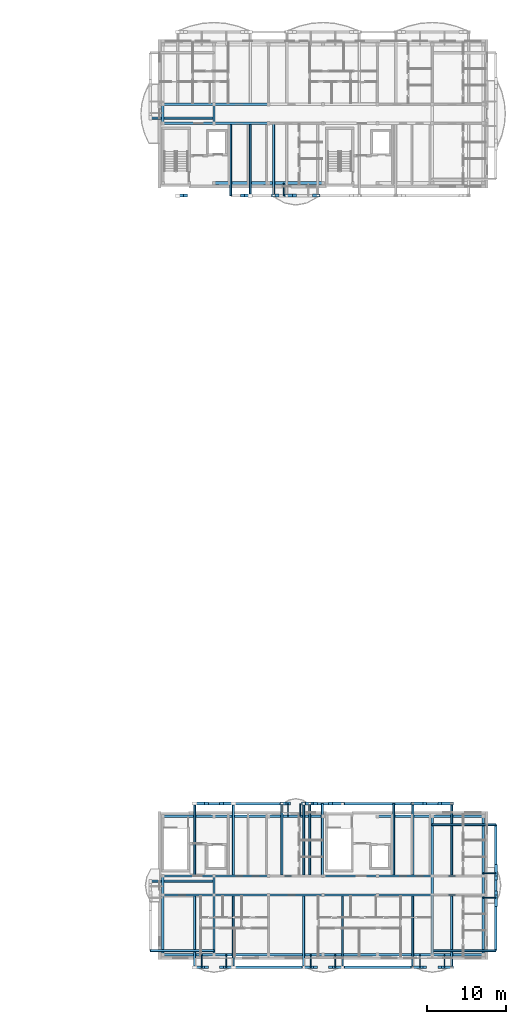
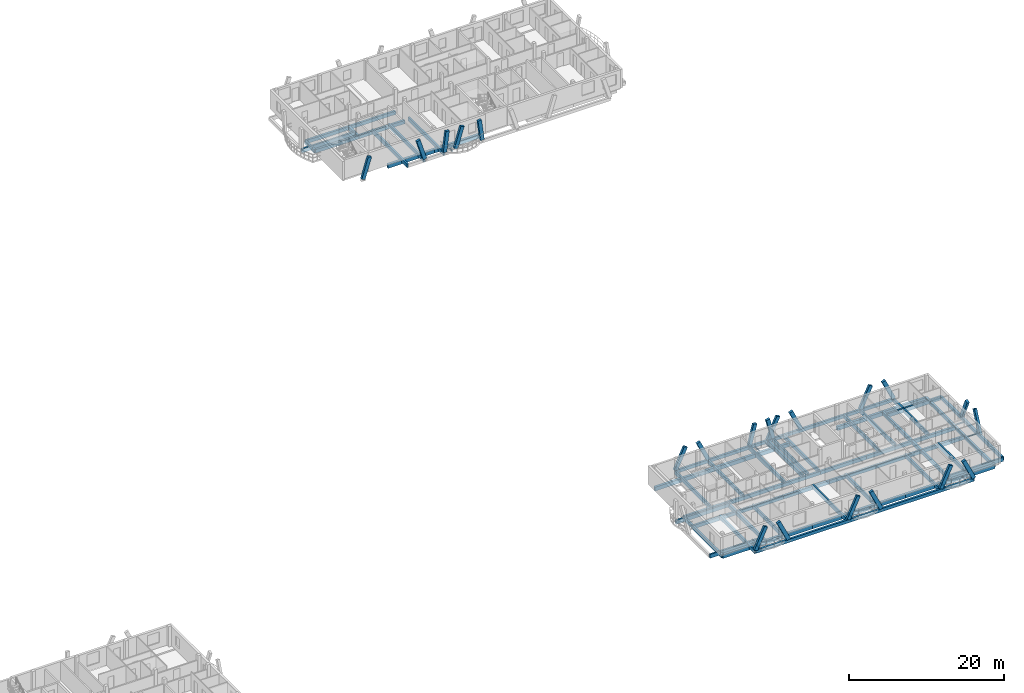
# One storey, part 6 of 41: 78 beams, 21 members.
"""IFC4 building model written with IfcOpenShell, lengths in metres."""

from ifc_helpers import new_model, si_unit, direction, frame, origin, origin_2d, place, context, subcontext, project, spatial, rectangle, i_section, extrude, material, material_profile, profile_set, type_object, element, save


model = new_model("IFC4")

# Units and contexts
model_context = context("Model", 3, precision=1e-05, world=origin(), true_north=direction((0.0, 1.0)))
body_context = subcontext(model_context, "Body", "Model", "MODEL_VIEW")
ifc_project = project(units=[si_unit("LENGTHUNIT", "METRE"), si_unit("AREAUNIT", "SQUARE_METRE"), si_unit("VOLUMEUNIT", "CUBIC_METRE"), si_unit("PLANEANGLEUNIT", "RADIAN"), si_unit("MASSUNIT", "GRAM", prefix="KILO")], contexts=[model_context])

# Site, building, storey
site_placement = place(None, origin())
site = spatial("IfcSite", under=ifc_project, at=site_placement, CompositionType="ELEMENT")
building_placement = place(site_placement, origin())
building = spatial("IfcBuilding", under=site, at=building_placement, Name="Zavelmont Quarter", CompositionType="ELEMENT")
storey_placement = place(building_placement, frame((0.0, 0.0, 27.199951171875)))
storey = spatial("IfcBuildingStorey", under=building, at=storey_placement, Name="L08", CompositionType="ELEMENT", Elevation=27.199951171875)

# Beams
ifc_material_1 = material(Name="Concrete C35/45", Category="concrete")
ifc_material_profile_1 = material_profile(ifc_material_1, rectangle(XDim=0.35009765625, YDim=0.60009765625, at=origin_2d()), Name="RC350X600")
ifc_profile_set_1 = profile_set([ifc_material_profile_1], Name="Concrete C35/45")
beam_type_1 = type_object("IfcBeamType", Name="BM01", PredefinedType="SPANDREL", material=ifc_profile_set_1)
beam_1_placement = place(storey_placement, frame((133.5, 98.0400390625, -0.550048828125), z_axis=(1.0, 0.0, 0.0), x_axis=(0.0, 1.0, 0.0)))
element("IfcBeam", 1, at=beam_1_placement, inside=storey, type_object=beam_type_1, Name="L08 beam BM01 20/P to 21/P", PredefinedType="SPANDREL", context=body_context, shape_type="SweptSolid", body=[
    extrude(rectangle(XDim=0.35009765625, YDim=0.60009765625, at=origin_2d()), origin(), (0.0, 0.0, 1.0), 6.89990234375),
])
beam_2_placement = place(storey_placement, frame((140.39990234375, 98.0400390625, -0.550048828125), z_axis=(1.0, 0.0, 0.0), x_axis=(0.0, 1.0, 0.0)))
element("IfcBeam", 2, at=beam_2_placement, inside=storey, type_object=beam_type_1, Name="L08 beam BM01 21/P to 22/P", PredefinedType="SPANDREL", context=body_context, shape_type="SweptSolid", body=[
    extrude(rectangle(XDim=0.35009765625, YDim=0.60009765625, at=origin_2d()), origin(), (0.0, 0.0, 1.0), 6.900146484375),
])
beam_3_placement = place(storey_placement, frame((127.0400390625, 0.43994140625, -0.550048828125), z_axis=(1.0, 0.0, 0.0), x_axis=(0.0, 1.0, 0.0)))
element("IfcBeam", 3, at=beam_3_placement, inside=storey, type_object=beam_type_1, Name="L08 beam BM01 19/A to 20/A", PredefinedType="SPANDREL", context=body_context, shape_type="SweptSolid", body=[
    extrude(rectangle(XDim=0.35009765625, YDim=0.60009765625, at=origin_2d()), origin(), (0.0, 0.0, 1.0), 6.4599609375),
])
beam_4_placement = place(storey_placement, frame((133.5, 0.43994140625, -0.550048828125), z_axis=(1.0, 0.0, 0.0), x_axis=(0.0, 1.0, 0.0)))
element("IfcBeam", 4, at=beam_4_placement, inside=storey, type_object=beam_type_1, Name="L08 beam BM01 20/A to 21/A", PredefinedType="SPANDREL", context=body_context, shape_type="SweptSolid", body=[
    extrude(rectangle(XDim=0.35009765625, YDim=0.60009765625, at=origin_2d()), origin(), (0.0, 0.0, 1.0), 6.89990234375),
])
beam_5_placement = place(storey_placement, frame((140.39990234375, 0.43994140625, -0.550048828125), z_axis=(1.0, 0.0, 0.0), x_axis=(0.0, 1.0, 0.0)))
element("IfcBeam", 5, at=beam_5_placement, inside=storey, type_object=beam_type_1, Name="L08 beam BM01 21/A to 22/A", PredefinedType="SPANDREL", context=body_context, shape_type="SweptSolid", body=[
    extrude(rectangle(XDim=0.35009765625, YDim=0.60009765625, at=origin_2d()), origin(), (0.0, 0.0, 1.0), 6.900146484375),
])
beam_6_placement = place(storey_placement, frame((147.300048828125, 0.43994140625, -0.550048828125), z_axis=(1.0, 0.0, 0.0), x_axis=(0.0, 1.0, 0.0)))
element("IfcBeam", 6, at=beam_6_placement, inside=storey, type_object=beam_type_1, Name="L08 beam BM01 22/A to 23/A", PredefinedType="SPANDREL", context=body_context, shape_type="SweptSolid", body=[
    extrude(rectangle(XDim=0.35009765625, YDim=0.60009765625, at=origin_2d()), origin(), (0.0, 0.0, 1.0), 6.89990234375),
])
beam_7_placement = place(storey_placement, frame((154.199951171875, 0.43994140625, -0.550048828125), z_axis=(1.0, 0.0, 0.0), x_axis=(0.0, 1.0, 0.0)))
element("IfcBeam", 7, at=beam_7_placement, inside=storey, type_object=beam_type_1, Name="L08 beam BM01 23/A to 24/A", PredefinedType="SPANDREL", context=body_context, shape_type="SweptSolid", body=[
    extrude(rectangle(XDim=0.35009765625, YDim=0.60009765625, at=origin_2d()), origin(), (0.0, 0.0, 1.0), 6.900146484375),
])
for number, where, z_axis, x_axis, name in (
    (8, (161.10009765625, 0.43994140625, -0.550048828125), (1.0, 0.0, 0.0), (0.0, 1.0, 0.0), "L08 beam BM01 24/A to 25/A"),
    (9, (127.0400390625, 17.9599609375, -0.550048828125), (1.0, 0.0, 0.0), (0.0, 1.0, 0.0), "L08 beam BM01 19/D to 20/D"),
):
    element("IfcBeam", number, at=place(storey_placement, frame(where, z_axis=z_axis, x_axis=x_axis)), inside=storey, type_object=beam_type_1, Name=name, PredefinedType="SPANDREL", context=body_context, shape_type="SweptSolid", body=[
        extrude(rectangle(XDim=0.35009765625, YDim=0.60009765625, at=origin_2d()), origin(), (0.0, 0.0, 1.0), 6.4599609375),
    ])
beam_8_placement = place(storey_placement, frame((133.5, 17.9599609375, -0.550048828125), z_axis=(1.0, 0.0, 0.0), x_axis=(0.0, 1.0, 0.0)))
element("IfcBeam", 10, at=beam_8_placement, inside=storey, type_object=beam_type_1, Name="L08 beam BM01 20/D to 21/D", PredefinedType="SPANDREL", context=body_context, shape_type="SweptSolid", body=[
    extrude(rectangle(XDim=0.35009765625, YDim=0.60009765625, at=origin_2d()), origin(), (0.0, 0.0, 1.0), 6.89990234375),
])
for number, where, z_axis, x_axis, name in (
    (11, (140.39990234375, 17.9599609375, -0.550048828125), (1.0, 0.0, 0.0), (0.0, 1.0, 0.0), "L08 beam BM01 21/D to 22/D"),
    (12, (154.199951171875, 17.9599609375, -0.550048828125), (1.0, 0.0, 0.0), (0.0, 1.0, 0.0), "L08 beam BM01 23/D to 24/D"),
):
    element("IfcBeam", number, at=place(storey_placement, frame(where, z_axis=z_axis, x_axis=x_axis)), inside=storey, type_object=beam_type_1, Name=name, PredefinedType="SPANDREL", context=body_context, shape_type="SweptSolid", body=[
        extrude(rectangle(XDim=0.35009765625, YDim=0.60009765625, at=origin_2d()), origin(), (0.0, 0.0, 1.0), 6.900146484375),
    ])
beam_9_placement = place(storey_placement, frame((161.10009765625, 17.9599609375, -0.550048828125), z_axis=(1.0, 0.0, 0.0), x_axis=(0.0, 1.0, 0.0)))
element("IfcBeam", 13, at=beam_9_placement, inside=storey, type_object=beam_type_1, Name="L08 beam BM01 24/D to 25/D", PredefinedType="SPANDREL", context=body_context, shape_type="SweptSolid", body=[
    extrude(rectangle(XDim=0.35009765625, YDim=0.60009765625, at=origin_2d()), origin(), (0.0, 0.0, 1.0), 6.4599609375),
])
ifc_material_profile_2 = material_profile(ifc_material_1, rectangle(XDim=0.300048828125, YDim=0.550048828125, at=origin_2d()), Name="RC300X550")
ifc_profile_set_2 = profile_set([ifc_material_profile_2], Name="Concrete C35/45")
beam_type_2 = type_object("IfcBeamType", Name="BM02", PredefinedType="SPANDREL", material=ifc_profile_set_2)
beam_10_placement = place(storey_placement, frame((127.0400390625, 105.60009765625, -0.52490234375), z_axis=(1.0, 0.0, 0.0), x_axis=(0.0, 1.0, 0.0)))
element("IfcBeam", 14, at=beam_10_placement, inside=storey, type_object=beam_type_2, Name="L08 beam BM02 19/Q to 20/Q", PredefinedType="SPANDREL", context=body_context, shape_type="SweptSolid", body=[
    extrude(rectangle(XDim=0.300048828125, YDim=0.550048828125, at=origin_2d()), origin(), (0.0, 0.0, 1.0), 6.4599609375),
])
beam_11_placement = place(storey_placement, frame((133.5, 105.60009765625, -0.52490234375), z_axis=(1.0, 0.0, 0.0), x_axis=(0.0, 1.0, 0.0)))
element("IfcBeam", 15, at=beam_11_placement, inside=storey, type_object=beam_type_2, Name="L08 beam BM02 20/Q to 21/Q", PredefinedType="SPANDREL", context=body_context, shape_type="SweptSolid", body=[
    extrude(rectangle(XDim=0.300048828125, YDim=0.550048828125, at=origin_2d()), origin(), (0.0, 0.0, 1.0), 6.89990234375),
])
beam_12_placement = place(storey_placement, frame((127.0400390625, 108.0, -0.52490234375), z_axis=(1.0, 0.0, 0.0), x_axis=(0.0, 1.0, 0.0)))
element("IfcBeam", 16, at=beam_12_placement, inside=storey, type_object=beam_type_2, Name="L08 beam BM02 19/R to 20/R", PredefinedType="SPANDREL", context=body_context, shape_type="SweptSolid", body=[
    extrude(rectangle(XDim=0.300048828125, YDim=0.550048828125, at=origin_2d()), origin(), (0.0, 0.0, 1.0), 6.4599609375),
])
beam_13_placement = place(storey_placement, frame((133.5, 108.0, -0.52490234375), z_axis=(1.0, 0.0, 0.0), x_axis=(0.0, 1.0, 0.0)))
element("IfcBeam", 17, at=beam_13_placement, inside=storey, type_object=beam_type_2, Name="L08 beam BM02 20/R to 21/R", PredefinedType="SPANDREL", context=body_context, shape_type="SweptSolid", body=[
    extrude(rectangle(XDim=0.300048828125, YDim=0.550048828125, at=origin_2d()), origin(), (0.0, 0.0, 1.0), 6.89990234375),
])
for number, where, z_axis, x_axis, name in (
    (18, (127.0400390625, 105.60009765625, -0.52490234375), (0.0, 1.0, 0.0), (-1.0, 0.0, 0.0), "L08 beam BM02 19/Q to 19/R"),
    (19, (133.5, 105.60009765625, -0.52490234375), (0.0, 1.0, 0.0), (-1.0, 0.0, 0.0), "L08 beam BM02 20/Q to 20/R"),
):
    element("IfcBeam", number, at=place(storey_placement, frame(where, z_axis=z_axis, x_axis=x_axis)), inside=storey, type_object=beam_type_2, Name=name, PredefinedType="SPANDREL", context=body_context, shape_type="SweptSolid", body=[
        extrude(rectangle(XDim=0.300048828125, YDim=0.550048828125, at=origin_2d()), origin(), (0.0, 0.0, 1.0), 2.39990234375),
    ])
beam_14_placement = place(storey_placement, frame((127.0400390625, 8.0, -0.52490234375), z_axis=(1.0, 0.0, 0.0), x_axis=(0.0, 1.0, 0.0)))
element("IfcBeam", 20, at=beam_14_placement, inside=storey, type_object=beam_type_2, Name="L08 beam BM02 19/B to 20/B", PredefinedType="SPANDREL", context=body_context, shape_type="SweptSolid", body=[
    extrude(rectangle(XDim=0.300048828125, YDim=0.550048828125, at=origin_2d()), origin(), (0.0, 0.0, 1.0), 6.4599609375),
])
beam_15_placement = place(storey_placement, frame((133.5, 8.0, -0.52490234375), z_axis=(1.0, 0.0, 0.0), x_axis=(0.0, 1.0, 0.0)))
element("IfcBeam", 21, at=beam_15_placement, inside=storey, type_object=beam_type_2, Name="L08 beam BM02 20/B to 21/B", PredefinedType="SPANDREL", context=body_context, shape_type="SweptSolid", body=[
    extrude(rectangle(XDim=0.300048828125, YDim=0.550048828125, at=origin_2d()), origin(), (0.0, 0.0, 1.0), 6.89990234375),
])
beam_16_placement = place(storey_placement, frame((140.39990234375, 8.0, -0.52490234375), z_axis=(1.0, 0.0, 0.0), x_axis=(0.0, 1.0, 0.0)))
element("IfcBeam", 22, at=beam_16_placement, inside=storey, type_object=beam_type_2, Name="L08 beam BM02 21/B to 22/B", PredefinedType="SPANDREL", context=body_context, shape_type="SweptSolid", body=[
    extrude(rectangle(XDim=0.300048828125, YDim=0.550048828125, at=origin_2d()), origin(), (0.0, 0.0, 1.0), 6.900146484375),
])
beam_17_placement = place(storey_placement, frame((147.300048828125, 8.0, -0.52490234375), z_axis=(1.0, 0.0, 0.0), x_axis=(0.0, 1.0, 0.0)))
element("IfcBeam", 23, at=beam_17_placement, inside=storey, type_object=beam_type_2, Name="L08 beam BM02 22/B to 23/B", PredefinedType="SPANDREL", context=body_context, shape_type="SweptSolid", body=[
    extrude(rectangle(XDim=0.300048828125, YDim=0.550048828125, at=origin_2d()), origin(), (0.0, 0.0, 1.0), 6.89990234375),
])
beam_18_placement = place(storey_placement, frame((154.199951171875, 8.0, -0.52490234375), z_axis=(1.0, 0.0, 0.0), x_axis=(0.0, 1.0, 0.0)))
element("IfcBeam", 24, at=beam_18_placement, inside=storey, type_object=beam_type_2, Name="L08 beam BM02 23/B to 24/B", PredefinedType="SPANDREL", context=body_context, shape_type="SweptSolid", body=[
    extrude(rectangle(XDim=0.300048828125, YDim=0.550048828125, at=origin_2d()), origin(), (0.0, 0.0, 1.0), 6.900146484375),
])
for number, where, z_axis, x_axis, name in (
    (25, (161.10009765625, 8.0, -0.52490234375), (1.0, 0.0, 0.0), (0.0, 1.0, 0.0), "L08 beam BM02 24/B to 25/B"),
    (26, (127.0400390625, 10.39990234375, -0.52490234375), (1.0, 0.0, 0.0), (0.0, 1.0, 0.0), "L08 beam BM02 19/C to 20/C"),
):
    element("IfcBeam", number, at=place(storey_placement, frame(where, z_axis=z_axis, x_axis=x_axis)), inside=storey, type_object=beam_type_2, Name=name, PredefinedType="SPANDREL", context=body_context, shape_type="SweptSolid", body=[
        extrude(rectangle(XDim=0.300048828125, YDim=0.550048828125, at=origin_2d()), origin(), (0.0, 0.0, 1.0), 6.4599609375),
    ])
beam_19_placement = place(storey_placement, frame((133.5, 10.39990234375, -0.52490234375), z_axis=(1.0, 0.0, 0.0), x_axis=(0.0, 1.0, 0.0)))
element("IfcBeam", 27, at=beam_19_placement, inside=storey, type_object=beam_type_2, Name="L08 beam BM02 20/C to 21/C", PredefinedType="SPANDREL", context=body_context, shape_type="SweptSolid", body=[
    extrude(rectangle(XDim=0.300048828125, YDim=0.550048828125, at=origin_2d()), origin(), (0.0, 0.0, 1.0), 6.89990234375),
])
beam_20_placement = place(storey_placement, frame((140.39990234375, 10.39990234375, -0.52490234375), z_axis=(1.0, 0.0, 0.0), x_axis=(0.0, 1.0, 0.0)))
element("IfcBeam", 28, at=beam_20_placement, inside=storey, type_object=beam_type_2, Name="L08 beam BM02 21/C to 22/C", PredefinedType="SPANDREL", context=body_context, shape_type="SweptSolid", body=[
    extrude(rectangle(XDim=0.300048828125, YDim=0.550048828125, at=origin_2d()), origin(), (0.0, 0.0, 1.0), 6.900146484375),
])
beam_21_placement = place(storey_placement, frame((147.300048828125, 10.39990234375, -0.52490234375), z_axis=(1.0, 0.0, 0.0), x_axis=(0.0, 1.0, 0.0)))
element("IfcBeam", 29, at=beam_21_placement, inside=storey, type_object=beam_type_2, Name="L08 beam BM02 22/C to 23/C", PredefinedType="SPANDREL", context=body_context, shape_type="SweptSolid", body=[
    extrude(rectangle(XDim=0.300048828125, YDim=0.550048828125, at=origin_2d()), origin(), (0.0, 0.0, 1.0), 6.89990234375),
])
beam_22_placement = place(storey_placement, frame((154.199951171875, 10.39990234375, -0.52490234375), z_axis=(1.0, 0.0, 0.0), x_axis=(0.0, 1.0, 0.0)))
element("IfcBeam", 30, at=beam_22_placement, inside=storey, type_object=beam_type_2, Name="L08 beam BM02 23/C to 24/C", PredefinedType="SPANDREL", context=body_context, shape_type="SweptSolid", body=[
    extrude(rectangle(XDim=0.300048828125, YDim=0.550048828125, at=origin_2d()), origin(), (0.0, 0.0, 1.0), 6.900146484375),
])
beam_23_placement = place(storey_placement, frame((161.10009765625, 10.39990234375, -0.52490234375), z_axis=(1.0, 0.0, 0.0), x_axis=(0.0, 1.0, 0.0)))
element("IfcBeam", 31, at=beam_23_placement, inside=storey, type_object=beam_type_2, Name="L08 beam BM02 24/C to 25/C", PredefinedType="SPANDREL", context=body_context, shape_type="SweptSolid", body=[
    extrude(rectangle(XDim=0.300048828125, YDim=0.550048828125, at=origin_2d()), origin(), (0.0, 0.0, 1.0), 6.4599609375),
])
beam_24_placement = place(storey_placement, frame((127.0400390625, 0.43994140625, -0.52490234375), z_axis=(0.0, 1.0, 0.0), x_axis=(-1.0, 0.0, 0.0)))
element("IfcBeam", 32, at=beam_24_placement, inside=storey, type_object=beam_type_2, Name="L08 beam BM02 19/A to 19/B", PredefinedType="SPANDREL", context=body_context, shape_type="SweptSolid", body=[
    extrude(rectangle(XDim=0.300048828125, YDim=0.550048828125, at=origin_2d()), origin(), (0.0, 0.0, 1.0), 7.56005859375),
])
beam_25_placement = place(storey_placement, frame((127.0400390625, 8.0, -0.52490234375), z_axis=(0.0, 1.0, 0.0), x_axis=(-1.0, 0.0, 0.0)))
element("IfcBeam", 33, at=beam_25_placement, inside=storey, type_object=beam_type_2, Name="L08 beam BM02 19/B to 19/C", PredefinedType="SPANDREL", context=body_context, shape_type="SweptSolid", body=[
    extrude(rectangle(XDim=0.300048828125, YDim=0.550048828125, at=origin_2d()), origin(), (0.0, 0.0, 1.0), 2.39990234375),
])
beam_26_placement = place(storey_placement, frame((133.5, 0.43994140625, -0.52490234375), z_axis=(0.0, 1.0, 0.0), x_axis=(-1.0, 0.0, 0.0)))
element("IfcBeam", 34, at=beam_26_placement, inside=storey, type_object=beam_type_2, Name="L08 beam BM02 20/A to 20/B", PredefinedType="SPANDREL", context=body_context, shape_type="SweptSolid", body=[
    extrude(rectangle(XDim=0.300048828125, YDim=0.550048828125, at=origin_2d()), origin(), (0.0, 0.0, 1.0), 7.56005859375),
])
beam_27_placement = place(storey_placement, frame((133.5, 8.0, -0.52490234375), z_axis=(0.0, 1.0, 0.0), x_axis=(-1.0, 0.0, 0.0)))
element("IfcBeam", 35, at=beam_27_placement, inside=storey, type_object=beam_type_2, Name="L08 beam BM02 20/B to 20/C", PredefinedType="SPANDREL", context=body_context, shape_type="SweptSolid", body=[
    extrude(rectangle(XDim=0.300048828125, YDim=0.550048828125, at=origin_2d()), origin(), (0.0, 0.0, 1.0), 2.39990234375),
])
beam_28_placement = place(storey_placement, frame((161.10009765625, 0.43994140625, -0.52490234375), z_axis=(0.0, 1.0, 0.0), x_axis=(-1.0, 0.0, 0.0)))
element("IfcBeam", 36, at=beam_28_placement, inside=storey, type_object=beam_type_2, Name="L08 beam BM02 24/A to 24/B", PredefinedType="SPANDREL", context=body_context, shape_type="SweptSolid", body=[
    extrude(rectangle(XDim=0.300048828125, YDim=0.550048828125, at=origin_2d()), origin(), (0.0, 0.0, 1.0), 7.56005859375),
])
beam_29_placement = place(storey_placement, frame((161.10009765625, 8.0, -0.52490234375), z_axis=(0.0, 1.0, 0.0), x_axis=(-1.0, 0.0, 0.0)))
element("IfcBeam", 37, at=beam_29_placement, inside=storey, type_object=beam_type_2, Name="L08 beam BM02 24/B to 24/C", PredefinedType="SPANDREL", context=body_context, shape_type="SweptSolid", body=[
    extrude(rectangle(XDim=0.300048828125, YDim=0.550048828125, at=origin_2d()), origin(), (0.0, 0.0, 1.0), 2.39990234375),
])
for number, where, z_axis, x_axis, name in (
    (38, (161.10009765625, 10.39990234375, -0.52490234375), (0.0, 1.0, 0.0), (-1.0, 0.0, 0.0), "L08 beam BM02 24/C to 24/D"),
    (39, (167.56005859375, 0.43994140625, -0.52490234375), (0.0, 1.0, 0.0), (-1.0, 0.0, 0.0), "L08 beam BM02 25/A to 25/B"),
):
    element("IfcBeam", number, at=place(storey_placement, frame(where, z_axis=z_axis, x_axis=x_axis)), inside=storey, type_object=beam_type_2, Name=name, PredefinedType="SPANDREL", context=body_context, shape_type="SweptSolid", body=[
        extrude(rectangle(XDim=0.300048828125, YDim=0.550048828125, at=origin_2d()), origin(), (0.0, 0.0, 1.0), 7.56005859375),
    ])
beam_30_placement = place(storey_placement, frame((167.56005859375, 8.0, -0.52490234375), z_axis=(0.0, 1.0, 0.0), x_axis=(-1.0, 0.0, 0.0)))
element("IfcBeam", 40, at=beam_30_placement, inside=storey, type_object=beam_type_2, Name="L08 beam BM02 25/B to 25/C", PredefinedType="SPANDREL", context=body_context, shape_type="SweptSolid", body=[
    extrude(rectangle(XDim=0.300048828125, YDim=0.550048828125, at=origin_2d()), origin(), (0.0, 0.0, 1.0), 2.39990234375),
])
beam_31_placement = place(storey_placement, frame((167.56005859375, 10.39990234375, -0.52490234375), z_axis=(0.0, 1.0, 0.0), x_axis=(-1.0, 0.0, 0.0)))
element("IfcBeam", 41, at=beam_31_placement, inside=storey, type_object=beam_type_2, Name="L08 beam BM02 25/C to 25/D", PredefinedType="SPANDREL", context=body_context, shape_type="SweptSolid", body=[
    extrude(rectangle(XDim=0.300048828125, YDim=0.550048828125, at=origin_2d()), origin(), (0.0, 0.0, 1.0), 7.56005859375),
])
ifc_material_profile_3 = material_profile(ifc_material_1, rectangle(XDim=0.300048828125, YDim=0.5, at=origin_2d()), Name="RC300X500")
ifc_profile_set_3 = profile_set([ifc_material_profile_3], Name="Concrete C35/45")
beam_type_3 = type_object("IfcBeamType", Name="BM03", PredefinedType="BEAM", material=ifc_profile_set_3)
for number, where, z_axis, x_axis, name in (
    (42, (131.047119140625, -1.14990234375, -0.25), (1.0, 0.0, 0.0), (0.0, 1.0, 0.0), "L08 beam BM03 20/A to 24/A"),
    (43, (131.047119140625, 19.550048828125, -0.25), (1.0, 0.0, 0.0), (0.0, 1.0, 0.0), "L08 beam BM03 20/D to 24/D"),
):
    element("IfcBeam", number, at=place(storey_placement, frame(where, z_axis=z_axis, x_axis=x_axis)), inside=storey, type_object=beam_type_3, Name=name, PredefinedType="BEAM", context=body_context, shape_type="SweptSolid", body=[
        extrude(rectangle(XDim=0.300048828125, YDim=0.5, at=origin_2d()), origin(), (0.0, 0.0, 1.0), 32.505859375),
    ])
beam_32_placement = place(storey_placement, frame((169.14990234375, 0.949951171875, -0.25), z_axis=(0.0, 1.0, 0.0), x_axis=(-1.0, 0.0, 0.0)))
element("IfcBeam", 44, at=beam_32_placement, inside=storey, type_object=beam_type_3, Name="L08 beam BM03 25/A to 25/D", PredefinedType="BEAM", context=body_context, shape_type="SweptSolid", body=[
    extrude(rectangle(XDim=0.300048828125, YDim=0.5, at=origin_2d()), origin(), (0.0, 0.0, 1.0), 15.949951171875),
])
ifc_material_2 = material(Name="Steel S355", Category="steel")
ifc_material_profile_4 = material_profile(ifc_material_2, i_section(OverallWidth=0.110107421875, OverallDepth=0.219970703125, WebThickness=0.005859375, FlangeThickness=0.00927734375, at=origin_2d()), Name="IPE 220")
ifc_profile_set_4 = profile_set([ifc_material_profile_4], Name="Steel S355")
beam_type_4 = type_object("IfcBeamType", Name="BM15", PredefinedType="JOIST", material=ifc_profile_set_4)
beam_33_placement = place(storey_placement, frame((142.300048828125, 98.0400390625, -0.366943359375), z_axis=(0.0, -1.0, 0.0), x_axis=(1.0, 0.0, 0.0)))
element("IfcBeam", 45, at=beam_33_placement, inside=storey, type_object=beam_type_4, Name="L08 beam BM15 21/P to 21/P", PredefinedType="JOIST", context=body_context, shape_type="SweptSolid", body=[
    extrude(i_section(OverallWidth=0.110107421875, OverallDepth=0.219970703125, WebThickness=0.005859375, FlangeThickness=0.00927734375, at=origin_2d()), origin(), (0.0, 0.0, 1.0), 1.590087890625),
])
for number, where, z_axis, x_axis, name in (
    (46, (131.949951171875, 0.43994140625, -0.362060546875), (0.0, -1.0, 0.0), (1.0, 0.0, 0.0), "L08 beam BM15 20/A to 20/A"),
    (47, (135.050048828125, 0.43994140625, -0.362060546875), (0.0, -1.0, 0.0), (1.0, 0.0, 0.0), "L08 beam BM15 20/A to 20/A"),
    (48, (145.75, 0.43994140625, -0.362060546875), (0.0, -1.0, 0.0), (1.0, 0.0, 0.0), "L08 beam BM15 22/A to 22/A"),
    (49, (148.85009765625, 0.43994140625, -0.362060546875), (0.0, -1.0, 0.0), (1.0, 0.0, 0.0), "L08 beam BM15 22/A to 22/A"),
    (50, (159.550048828125, 0.43994140625, -0.366943359375), (0.0, -1.0, 0.0), (1.0, 0.0, 0.0), "L08 beam BM15 24/A to 24/A"),
    (51, (162.64990234375, 0.43994140625, -0.366943359375), (0.0, -1.0, 0.0), (1.0, 0.0, 0.0), "L08 beam BM15 24/A to 24/A"),
    (52, (167.56005859375, 7.64990234375, -0.362060546875), (1.0, 0.0, 0.0), (0.0, 1.0, 0.0), "L08 beam BM15 25/B to 25/B"),
    (53, (167.56005859375, 10.75, -0.362060546875), (1.0, 0.0, 0.0), (0.0, 1.0, 0.0), "L08 beam BM15 25/C to 25/C"),
):
    element("IfcBeam", number, at=place(storey_placement, frame(where, z_axis=z_axis, x_axis=x_axis)), inside=storey, type_object=beam_type_4, Name=name, PredefinedType="JOIST", context=body_context, shape_type="SweptSolid", body=[
        extrude(i_section(OverallWidth=0.110107421875, OverallDepth=0.219970703125, WebThickness=0.005859375, FlangeThickness=0.00927734375, at=origin_2d()), origin(), (0.0, 0.0, 1.0), 1.58984375),
    ])
for number, where, z_axis, x_axis, name in (
    (54, (142.864501953125, 17.9599609375, -0.366943359375), (0.0, 1.0, 0.0), (-1.0, 0.0, 0.0), "L08 beam BM15 21/D to 21/D"),
    (55, (144.415283203125, 17.9599609375, -0.366943359375), (0.0, 1.0, 0.0), (-1.0, 0.0, 0.0), "L08 beam BM15 22/D to 22/D"),
):
    element("IfcBeam", number, at=place(storey_placement, frame(where, z_axis=z_axis, x_axis=x_axis)), inside=storey, type_object=beam_type_4, Name=name, PredefinedType="JOIST", context=body_context, shape_type="SweptSolid", body=[
        extrude(i_section(OverallWidth=0.110107421875, OverallDepth=0.219970703125, WebThickness=0.005859375, FlangeThickness=0.00927734375, at=origin_2d()), origin(), (0.0, 0.0, 1.0), 1.590087890625),
    ])
ifc_material_3 = material(Name="Concrete C40/50", Category="concrete")
ifc_material_profile_5 = material_profile(ifc_material_3, rectangle(XDim=0.25, YDim=0.60009765625, at=origin_2d()), Name="RC250X600")
ifc_profile_set_5 = profile_set([ifc_material_profile_5], Name="Concrete C40/50")
beam_type_5 = type_object("IfcBeamType", Name="BM18", PredefinedType="BEAM", material=ifc_profile_set_5)
for number, where, z_axis, x_axis, name in (
    (56, (135.625, 105.60009765625, -0.300048828125), (0.0, -1.0, 0.0), (1.0, 0.0, 0.0), "L08 beam BM18 20/Q to 20/P"),
    (57, (138.092529296875, 105.60009765625, -0.300048828125), (0.0, -1.0, 0.0), (1.0, 0.0, 0.0), "L08 beam BM18 21/Q to 21/P"),
    (58, (141.050048828125, 105.60009765625, -0.300048828125), (0.0, -1.0, 0.0), (1.0, 0.0, 0.0), "L08 beam BM18 21/Q to 21/P"),
):
    element("IfcBeam", number, at=place(storey_placement, frame(where, z_axis=z_axis, x_axis=x_axis)), inside=storey, type_object=beam_type_5, Name=name, PredefinedType="BEAM", context=body_context, shape_type="SweptSolid", body=[
        extrude(rectangle(XDim=0.25, YDim=0.60009765625, at=origin_2d()), origin(), (0.0, 0.0, 1.0), 9.150146484375),
    ])
beam_34_placement = place(storey_placement, frame((133.5, 106.25, -0.300048828125), z_axis=(-1.0, 0.0, 0.0), x_axis=(0.0, -1.0, 0.0)))
element("IfcBeam", 59, at=beam_34_placement, inside=storey, type_object=beam_type_5, Name="L08 beam BM18 20/Q to 19/Q", PredefinedType="BEAM", context=body_context, shape_type="SweptSolid", body=[
    extrude(rectangle(XDim=0.25, YDim=0.60009765625, at=origin_2d()), origin(), (0.0, 0.0, 1.0), 8.050048828125),
])
for number, where, z_axis, x_axis, name in (
    (60, (131.04736328125, 8.0, -0.300048828125), (0.0, -1.0, 0.0), (1.0, 0.0, 0.0), "L08 beam BM18 20/B to 20/A"),
    (61, (135.95263671875, 8.0, -0.300048828125), (0.0, -1.0, 0.0), (1.0, 0.0, 0.0), "L08 beam BM18 20/B to 20/A"),
    (62, (144.847412109375, 8.0, -0.300048828125), (0.0, -1.0, 0.0), (1.0, 0.0, 0.0), "L08 beam BM18 22/B to 22/A"),
    (63, (149.752685546875, 8.0, -0.300048828125), (0.0, -1.0, 0.0), (1.0, 0.0, 0.0), "L08 beam BM18 22/B to 22/A"),
    (64, (158.647216796875, 8.0, -0.300048828125), (0.0, -1.0, 0.0), (1.0, 0.0, 0.0), "L08 beam BM18 24/B to 24/A"),
    (65, (163.552734375, 8.0, -0.300048828125), (0.0, -1.0, 0.0), (1.0, 0.0, 0.0), "L08 beam BM18 24/B to 24/A"),
):
    element("IfcBeam", number, at=place(storey_placement, frame(where, z_axis=z_axis, x_axis=x_axis)), inside=storey, type_object=beam_type_5, Name=name, PredefinedType="BEAM", context=body_context, shape_type="SweptSolid", body=[
        extrude(rectangle(XDim=0.25, YDim=0.60009765625, at=origin_2d()), origin(), (0.0, 0.0, 1.0), 9.14990234375),
    ])
for number, where, z_axis, x_axis, name in (
    (66, (131.04736328125, 10.39990234375, -0.300048828125), (0.0, 1.0, 0.0), (-1.0, 0.0, 0.0), "L08 beam BM18 20/C to 20/D"),
    (67, (135.95263671875, 10.39990234375, -0.300048828125), (0.0, 1.0, 0.0), (-1.0, 0.0, 0.0), "L08 beam BM18 20/C to 20/D"),
    (68, (144.847412109375, 10.39990234375, -0.300048828125), (0.0, 1.0, 0.0), (-1.0, 0.0, 0.0), "L08 beam BM18 22/C to 22/D"),
    (69, (147.199951171875, 10.39990234375, -0.300048828125), (0.0, 1.0, 0.0), (-1.0, 0.0, 0.0), "L08 beam BM18 22/C to 22/D"),
    (70, (156.22509765625, 10.39990234375, -0.300048828125), (0.0, 1.0, 0.0), (-1.0, 0.0, 0.0), "L08 beam BM18 23/C to 23/D"),
    (71, (158.647216796875, 10.39990234375, -0.300048828125), (0.0, 1.0, 0.0), (-1.0, 0.0, 0.0), "L08 beam BM18 24/C to 24/D"),
    (72, (163.552734375, 10.39990234375, -0.300048828125), (0.0, 1.0, 0.0), (-1.0, 0.0, 0.0), "L08 beam BM18 24/C to 24/D"),
    (73, (142.094482421875, 10.39990234375, -0.300048828125), (0.0, 1.0, 0.0), (-1.0, 0.0, 0.0), "L08 beam BM18 21/C to 21/D"),
    (74, (145.60546875, 10.39990234375, -0.300048828125), (0.0, 1.0, 0.0), (-1.0, 0.0, 0.0), "L08 beam BM18 22/C to 22/D"),
):
    element("IfcBeam", number, at=place(storey_placement, frame(where, z_axis=z_axis, x_axis=x_axis)), inside=storey, type_object=beam_type_5, Name=name, PredefinedType="BEAM", context=body_context, shape_type="SweptSolid", body=[
        extrude(rectangle(XDim=0.25, YDim=0.60009765625, at=origin_2d()), origin(), (0.0, 0.0, 1.0), 9.150146484375),
    ])
for number, where, z_axis, x_axis, name in (
    (75, (161.10009765625, 0.949951171875, -0.300048828125), (1.0, 0.0, 0.0), (0.0, 1.0, 0.0), "L08 beam BM18 24/A to 25/A"),
    (76, (161.10009765625, 16.89990234375, -0.300048828125), (1.0, 0.0, 0.0), (0.0, 1.0, 0.0), "L08 beam BM18 24/D to 25/D"),
):
    element("IfcBeam", number, at=place(storey_placement, frame(where, z_axis=z_axis, x_axis=x_axis)), inside=storey, type_object=beam_type_5, Name=name, PredefinedType="BEAM", context=body_context, shape_type="SweptSolid", body=[
        extrude(rectangle(XDim=0.25, YDim=0.60009765625, at=origin_2d()), origin(), (0.0, 0.0, 1.0), 8.0498046875),
    ])
for number, where, z_axis, x_axis, name in (
    (77, (133.5, 0.949951171875, -0.300048828125), (-1.0, 0.0, 0.0), (0.0, -1.0, 0.0), "L08 beam BM18 20/A to 19/A"),
    (78, (133.5, 9.75, -0.300048828125), (-1.0, 0.0, 0.0), (0.0, -1.0, 0.0), "L08 beam BM18 20/C to 19/C"),
):
    element("IfcBeam", number, at=place(storey_placement, frame(where, z_axis=z_axis, x_axis=x_axis)), inside=storey, type_object=beam_type_5, Name=name, PredefinedType="BEAM", context=body_context, shape_type="SweptSolid", body=[
        extrude(rectangle(XDim=0.25, YDim=0.60009765625, at=origin_2d()), origin(), (0.0, 0.0, 1.0), 8.050048828125),
    ])

# Members
ifc_material_4 = material(Name="White architectural precast concrete C40/50", Category="concrete")
ifc_material_profile_6 = material_profile(ifc_material_4, rectangle(XDim=0.360107421875, YDim=0.5400390625, at=origin_2d()), Name="PCR280X420")
ifc_profile_set_6 = profile_set([ifc_material_profile_6], Name="White architectural precast concrete C40/50")
member_type = type_object("IfcMemberType", Name="VR02M", PredefinedType="CHORD", material=ifc_profile_set_6)
for number, where, z_axis, x_axis, name in (
    (79, (128.907470703125, 96.449951171875, 0.0), (0.291623318033, 0.0, 0.956533240604), (0.0, 1.0, 0.0), "L08 member VR02M 19/P to 19/P"),
    (80, (138.092529296875, 96.449951171875, 0.0), (-0.291623318033, 0.0, 0.956533240604), (0.0, -1.0, 0.0), "L08 member VR02M 21/P to 21/P"),
    (81, (142.70751953125, 96.449951171875, 0.0), (0.291623318033, 0.0, 0.956533240604), (0.0, 1.0, 0.0), "L08 member VR02M 21/P to 21/P"),
):
    element("IfcMember", number, at=place(storey_placement, frame(where, z_axis=z_axis, x_axis=x_axis)), inside=storey, type_object=member_type, Name=name, PredefinedType="CHORD", context=body_context, shape_type="SweptSolid", body=[
        extrude(rectangle(XDim=0.360107421875, YDim=0.5400390625, at=origin_2d()), origin(), (0.0, 0.0, 1.0), 3.345458984375),
    ])
for number, where, z_axis, x_axis, name in (
    (82, (141.050048828125, 96.449951171875, 0.0), (0.126912312344, 0.0, 0.991913940307), (0.0, 1.0, 0.0), "L08 member VR02M 21/P to 21/P"),
    (83, (146.64990234375, 96.449951171875, 0.0), (-0.126912312344, 0.0, 0.991913940307), (0.0, -1.0, 0.0), "L08 member VR02M 22/P to 22/P"),
):
    element("IfcMember", number, at=place(storey_placement, frame(where, z_axis=z_axis, x_axis=x_axis)), inside=storey, type_object=member_type, Name=name, PredefinedType="CHORD", context=body_context, shape_type="SweptSolid", body=[
        extrude(rectangle(XDim=0.360107421875, YDim=0.5400390625, at=origin_2d()), origin(), (0.0, 0.0, 1.0), 3.22607421875),
    ])
for number, where, z_axis, x_axis, name in (
    (84, (131.04736328125, -1.14990234375, 0.0), (0.425061890323, 0.0, 0.905164288621), (0.0, 1.0, 0.0), "L08 member VR02M 20/A to 20/A"),
    (85, (135.95263671875, -1.14990234375, 0.0), (-0.425061890323, 0.0, 0.905164288621), (0.0, -1.0, 0.0), "L08 member VR02M 20/A to 20/A"),
    (86, (144.847412109375, -1.14990234375, 0.0), (0.425061890323, 0.0, 0.905164288621), (0.0, 1.0, 0.0), "L08 member VR02M 22/A to 22/A"),
    (87, (149.752685546875, -1.14990234375, 0.0), (-0.425061890323, 0.0, 0.905164288621), (0.0, -1.0, 0.0), "L08 member VR02M 22/A to 22/A"),
    (88, (158.647216796875, -1.14990234375, 0.0), (0.425061890323, 0.0, 0.905164288621), (0.0, 1.0, 0.0), "L08 member VR02M 24/A to 24/A"),
    (89, (163.552734375, -1.14990234375, 0.0), (-0.425061890323, 0.0, 0.905164288621), (0.0, -1.0, 0.0), "L08 member VR02M 24/A to 24/A"),
    (90, (131.04736328125, 19.550048828125, 0.0), (0.425061890323, 0.0, 0.905164288621), (0.0, 1.0, 0.0), "L08 member VR02M 20/D to 20/D"),
    (91, (135.95263671875, 19.550048828125, 0.0), (-0.425061890323, 0.0, 0.905164288621), (0.0, -1.0, 0.0), "L08 member VR02M 20/D to 20/D"),
    (92, (144.847412109375, 19.550048828125, 0.0), (0.425061890323, 0.0, 0.905164288621), (0.0, 1.0, 0.0), "L08 member VR02M 22/D to 22/D"),
    (93, (149.752685546875, 19.550048828125, 0.0), (-0.425061890323, 0.0, 0.905164288621), (0.0, -1.0, 0.0), "L08 member VR02M 22/D to 22/D"),
    (94, (158.647216796875, 19.550048828125, 0.0), (0.425061890323, 0.0, 0.905164288621), (0.0, 1.0, 0.0), "L08 member VR02M 24/D to 24/D"),
    (95, (163.552734375, 19.550048828125, 0.0), (-0.425061890323, 0.0, 0.905164288621), (0.0, -1.0, 0.0), "L08 member VR02M 24/D to 24/D"),
):
    element("IfcMember", number, at=place(storey_placement, frame(where, z_axis=z_axis, x_axis=x_axis)), inside=storey, type_object=member_type, Name=name, PredefinedType="CHORD", context=body_context, shape_type="SweptSolid", body=[
        extrude(rectangle(XDim=0.360107421875, YDim=0.5400390625, at=origin_2d()), origin(), (0.0, 0.0, 1.0), 3.53515625),
    ])
for number, where, z_axis, x_axis, name in (
    (96, (142.094482421875, 19.550048828125, 0.0), (0.244084700628, 0.0, 0.969753916682), (0.0, 1.0, 0.0), "L08 member VR02M 21/D to 21/D"),
    (97, (145.60546875, 19.550048828125, 0.0), (-0.244084700628, 0.0, 0.969753916682), (0.0, -1.0, 0.0), "L08 member VR02M 22/D to 22/D"),
):
    element("IfcMember", number, at=place(storey_placement, frame(where, z_axis=z_axis, x_axis=x_axis)), inside=storey, type_object=member_type, Name=name, PredefinedType="CHORD", context=body_context, shape_type="SweptSolid", body=[
        extrude(rectangle(XDim=0.360107421875, YDim=0.5400390625, at=origin_2d()), origin(), (0.0, 0.0, 1.0), 3.2998046875),
    ])
for number, where, z_axis, x_axis, name in (
    (98, (169.14990234375, 6.798828125, 0.0), (0.0, 0.413012289979, 0.910725451674), (-1.0, 0.0, 0.0), "L08 member VR02M 25/B to 25/B"),
    (99, (169.14990234375, 11.601318359375, 0.0), (0.0, -0.413069918891, 0.910699314871), (1.0, 0.0, 0.0), "L08 member VR02M 25/C to 25/C"),
):
    element("IfcMember", number, at=place(storey_placement, frame(where, z_axis=z_axis, x_axis=x_axis)), inside=storey, type_object=member_type, Name=name, PredefinedType="CHORD", context=body_context, shape_type="SweptSolid", body=[
        extrude(rectangle(XDim=0.360107421875, YDim=0.5400390625, at=origin_2d()), origin(), (0.0, 0.0, 1.0), 3.513671875),
    ])

save(model, "model.ifc")
